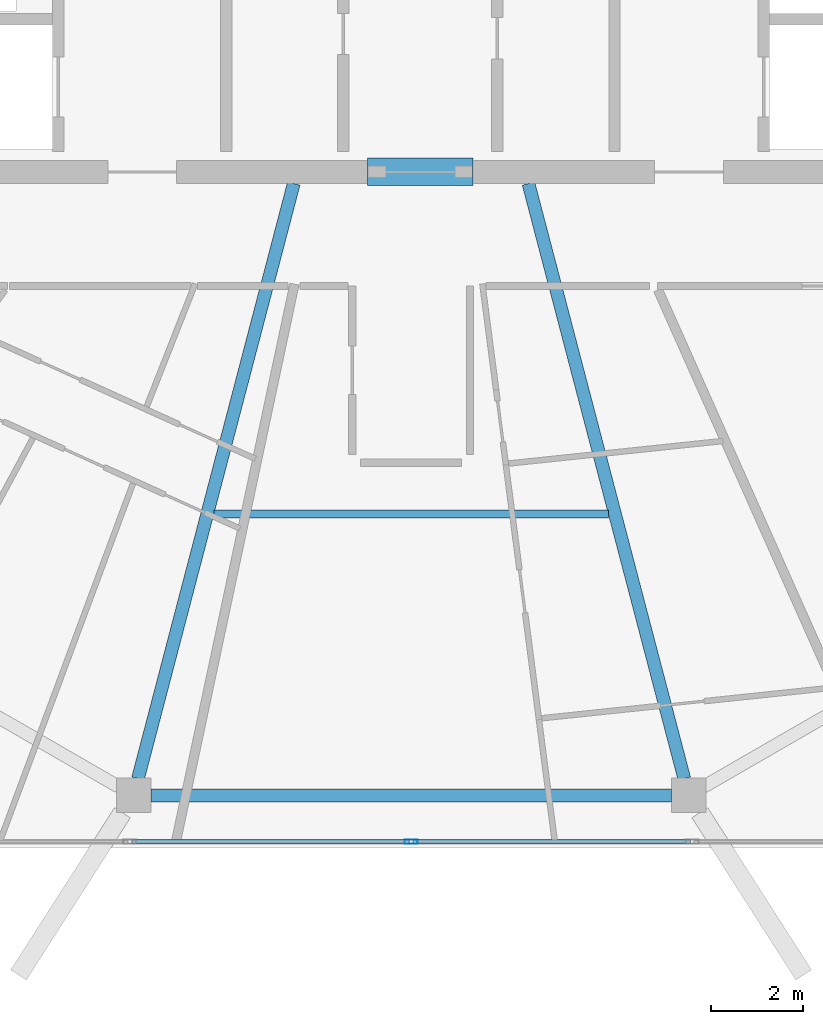
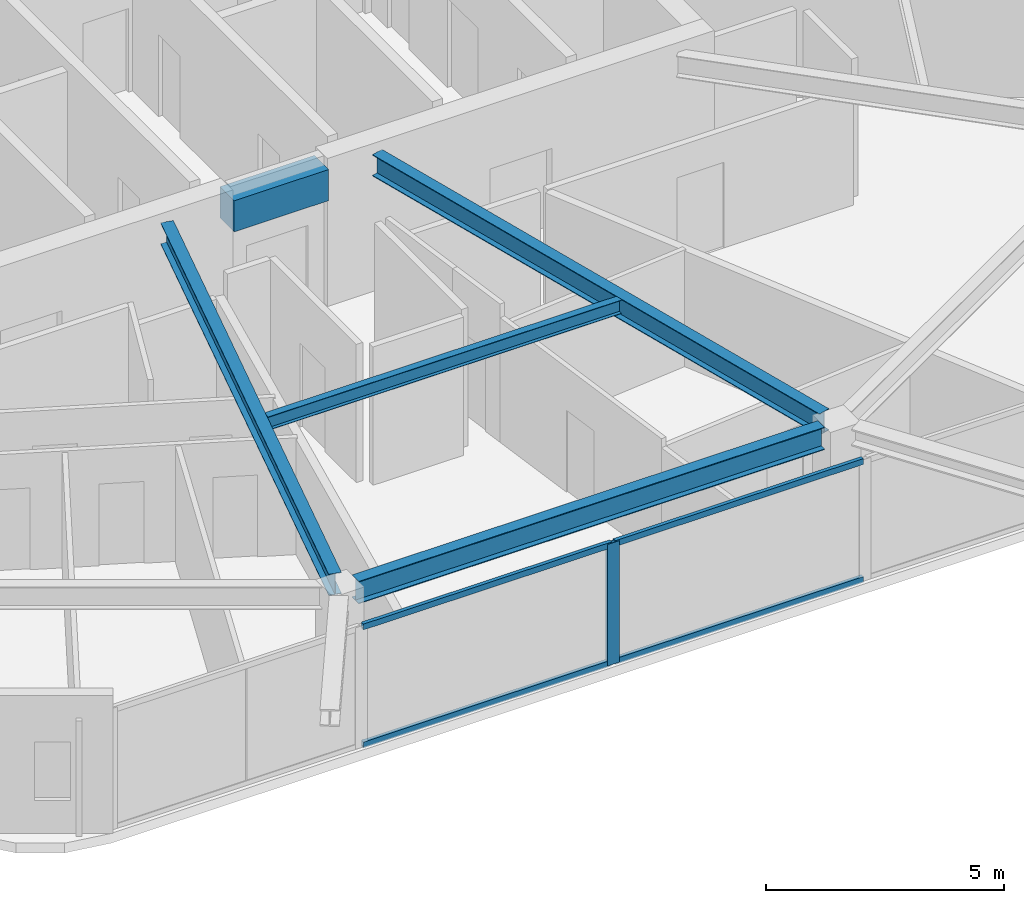
# One storey, part 3 of 18: 5 beams, 5 members, 1 element without a shape of its own.
"""IFC4 building model written with IfcOpenShell, lengths in metres."""

from ifc_helpers import new_model, si_unit, direction, frame, origin, origin_2d, place, context, subcontext, project, spatial, rectangle, hollow_rectangle, i_section, extrude, material, material_profile, profile_set, type_object, element, aggregate, save


model = new_model("IFC4")

# Units and contexts
model_context = context("Model", 3, precision=1e-05, world=origin(), true_north=direction((0.0, 1.0)))
body_context = subcontext(model_context, "Body", "Model", "MODEL_VIEW")
ifc_project = project(units=[si_unit("LENGTHUNIT", "METRE"), si_unit("AREAUNIT", "SQUARE_METRE"), si_unit("VOLUMEUNIT", "CUBIC_METRE"), si_unit("PLANEANGLEUNIT", "RADIAN"), si_unit("MASSUNIT", "GRAM", prefix="KILO")], contexts=[model_context])

# Site, building, storey
site_placement = place(None, origin())
site = spatial("IfcSite", under=ifc_project, at=site_placement, CompositionType="ELEMENT")
building_placement = place(site_placement, origin())
building = spatial("IfcBuilding", under=site, at=building_placement, Name="Zuhravey Tower", CompositionType="ELEMENT")
storey_placement = place(building_placement, frame((0.0, 0.0, 342.39990234375)))
storey = spatial("IfcBuildingStorey", under=building, at=storey_placement, Name="L87", CompositionType="ELEMENT", Elevation=342.39990234375)

# Beam
ifc_material_1 = material(Name="Concrete C50/60", Category="concrete")
ifc_material_profile_1 = material_profile(ifc_material_1, rectangle(XDim=0.60009765625, YDim=0.800048828125, at=origin_2d()), Name="RC-600x800")
ifc_profile_set_1 = profile_set([ifc_material_profile_1], Name="Concrete C50/60")
beam_type_1 = type_object("IfcBeamType", Name="Core Coupling Beam RC600x800", PredefinedType="LINTEL", material=ifc_profile_set_1)
beam_1_placement = place(storey_placement, frame((35.052001953125, 22.5, 3.150146484375), z_axis=(1.0, 0.0, 0.0), x_axis=(0.0, 1.0, 0.0)))
element("IfcBeam", 1, at=beam_1_placement, inside=storey, type_object=beam_type_1, Name="L87 CB2 BM-L87-CB-S", PredefinedType="LINTEL", context=body_context, shape_type="SweptSolid", body=[
    extrude(rectangle(XDim=0.60009765625, YDim=0.800048828125, at=origin_2d()), origin(), (0.0, 0.0, 1.0), 2.2958984375),
])

# Curtain wall, members
ifc_material_2 = material(Name="Thermally broken anodised aluminium", Category="aluminium")
curtain_wall_type = type_object("IfcCurtainWallType", Name="Zone 3-4 High-Rise Curtain Wall CW4", PredefinedType="NOTDEFINED", material=ifc_material_2)
curtain_wall_placement = place(storey_placement, origin())
curtain_wall = element("IfcCurtainWall", 2, at=curtain_wall_placement, inside=storey, type_object=curtain_wall_type, Name="L87 CW4 CW-L87-F5-1", PredefinedType="NOTDEFINED")
ifc_material_3 = material(Name="Anodised aluminium", Category="aluminium")
ifc_material_profile_2 = material_profile(ifc_material_3, hollow_rectangle(XDim=0.090087890625, YDim=0.284912109375, WallThickness=0.0048828125, at=origin_2d()), Name="ALU-RHS-90x285x5")
ifc_profile_set_2 = profile_set([ifc_material_profile_2], Name="Anodised aluminium")
member_type_1 = type_object("IfcMemberType", Name="Curtain-Wall Mullion 90x180", PredefinedType="MULLION", material=ifc_profile_set_2)
member_1_placement = place(storey_placement, frame((36.0, 7.92578125, 0.0), z_axis=(0.0, 0.0, 1.0), x_axis=(0.0, -1.0, 0.0)))
member_1 = element("IfcMember", 3, at=member_1_placement, type_object=member_type_1, Name="CW4 mullion 3", PredefinedType="MULLION", context=body_context, shape_type="SweptSolid", body=[
    extrude(hollow_rectangle(XDim=0.090087890625, YDim=0.284912109375, WallThickness=0.0048828125, at=origin_2d()), origin(), (0.0, 0.0, 1.0), 3.1220703125),
])
ifc_material_profile_3 = material_profile(ifc_material_3, hollow_rectangle(XDim=0.090087890625, YDim=0.14990234375, WallThickness=0.0048828125, at=origin_2d()), Name="ALU-RHS-90x150x5")
ifc_profile_set_3 = profile_set([ifc_material_profile_3], Name="Anodised aluminium")
member_type_2 = type_object("IfcMemberType", Name="Curtain-Wall Transom 90x150", PredefinedType="USERDEFINED", material=ifc_profile_set_3)
member_2_placement = place(storey_placement, frame((42.07470703125, 7.92578125, 0.045166015625), z_axis=(-1.0, 0.0, 0.0), x_axis=(0.0, -1.0, 0.0)))
member_2 = element("IfcMember", 4, at=member_2_placement, type_object=member_type_2, Name="CW4 transom 2.1", ObjectType="TRANSOM", PredefinedType="USERDEFINED", context=body_context, shape_type="SweptSolid", body=[
    extrude(hollow_rectangle(XDim=0.090087890625, YDim=0.14990234375, WallThickness=0.0048828125, at=origin_2d()), origin(), (0.0, 0.0, 1.0), 6.02978515625),
])
member_3_placement = place(storey_placement, frame((42.07470703125, 7.92578125, 3.0771484375), z_axis=(-1.0, 0.0, 0.0), x_axis=(0.0, -1.0, 0.0)))
member_3 = element("IfcMember", 5, at=member_3_placement, type_object=member_type_2, Name="CW4 transom 2.2", ObjectType="TRANSOM", PredefinedType="USERDEFINED", context=body_context, shape_type="SweptSolid", body=[
    extrude(hollow_rectangle(XDim=0.090087890625, YDim=0.14990234375, WallThickness=0.0048828125, at=origin_2d()), origin(), (0.0, 0.0, 1.0), 6.02978515625),
])
member_4_placement = place(storey_placement, frame((35.955078125, 7.92578125, 0.045166015625), z_axis=(-1.0, 0.0, 0.0), x_axis=(0.0, -1.0, 0.0)))
member_4 = element("IfcMember", 6, at=member_4_placement, type_object=member_type_2, Name="CW4 transom 3.1", ObjectType="TRANSOM", PredefinedType="USERDEFINED", context=body_context, shape_type="SweptSolid", body=[
    extrude(hollow_rectangle(XDim=0.090087890625, YDim=0.14990234375, WallThickness=0.0048828125, at=origin_2d()), origin(), (0.0, 0.0, 1.0), 6.02978515625),
])
member_5_placement = place(storey_placement, frame((35.955078125, 7.92578125, 3.0771484375), z_axis=(-1.0, 0.0, 0.0), x_axis=(0.0, -1.0, 0.0)))
member_5 = element("IfcMember", 7, at=member_5_placement, type_object=member_type_2, Name="CW4 transom 3.2", ObjectType="TRANSOM", PredefinedType="USERDEFINED", context=body_context, shape_type="SweptSolid", body=[
    extrude(hollow_rectangle(XDim=0.090087890625, YDim=0.14990234375, WallThickness=0.0048828125, at=origin_2d()), origin(), (0.0, 0.0, 1.0), 6.02978515625),
])
aggregate(curtain_wall, [member_1, member_2, member_3, member_4, member_5])

# Beams
ifc_material_4 = material(Name="Steel SM355", Category="steel")
ifc_material_profile_4 = material_profile(ifc_material_4, i_section(OverallWidth=0.280029296875, OverallDepth=0.580078125, WebThickness=0.011962890625, FlangeThickness=0.01904296875, at=origin_2d()), Name="H-580x280x12x19")
ifc_profile_set_4 = profile_set([ifc_material_profile_4], Name="Steel SM355")
beam_type_2 = type_object("IfcBeamType", Name="Perimeter Ring Beam H580x280", PredefinedType="BEAM", material=ifc_profile_set_4)
beam_2_placement = place(storey_placement, frame((30.33935546875, 8.935791015625, 3.260009765625), z_axis=(1.0, 0.0, 0.0), x_axis=(0.0, 1.0, 0.0)))
element("IfcBeam", 8, at=beam_2_placement, inside=storey, type_object=beam_type_2, Name="L87 PB4 BM-L87-PB-09", PredefinedType="BEAM", context=body_context, shape_type="SweptSolid", body=[
    extrude(i_section(OverallWidth=0.280029296875, OverallDepth=0.580078125, WebThickness=0.011962890625, FlangeThickness=0.01904296875, at=origin_2d()), origin(), (0.0, 0.0, 1.0), 11.3212890625),
])
ifc_material_profile_5 = material_profile(ifc_material_4, i_section(OverallWidth=0.280029296875, OverallDepth=0.550048828125, WebThickness=0.010986328125, FlangeThickness=0.01806640625, at=origin_2d()), Name="H-550x280x11x18")
ifc_profile_set_5 = profile_set([ifc_material_profile_5], Name="Steel SM355")
beam_type_3 = type_object("IfcBeamType", Name="Radial Primary Girder H550x280", PredefinedType="BEAM", material=ifc_profile_set_5)
for number, where, z_axis, x_axis, name in (
    (9, (33.446533203125, 22.2470703125, 3.275146484375), (-0.253282562653, -0.967392342049, 0.0), (0.967392342049, -0.253282562653, 0.0), "L87 RG4 BM-L87-RAD-09"),
    (10, (38.553466796875, 22.2470703125, 3.275146484375), (0.253282562653, -0.967392342049, 0.0), (0.967392342049, 0.253282562653, 0.0), "L87 RG4 BM-L87-RAD-10"),
):
    element("IfcBeam", number, at=place(storey_placement, frame(where, z_axis=z_axis, x_axis=x_axis)), inside=storey, type_object=beam_type_3, Name=name, PredefinedType="BEAM", context=body_context, shape_type="SweptSolid", body=[
        extrude(i_section(OverallWidth=0.280029296875, OverallDepth=0.550048828125, WebThickness=0.010986328125, FlangeThickness=0.01806640625, at=origin_2d()), origin(), (0.0, 0.0, 1.0), 13.3818359375),
    ])
ifc_material_profile_6 = material_profile(ifc_material_4, i_section(OverallWidth=0.175048828125, OverallDepth=0.35009765625, WebThickness=0.007080078125, FlangeThickness=0.010986328125, at=origin_2d()), Name="H-350x175x7x11")
ifc_profile_set_6 = profile_set([ifc_material_profile_6], Name="Steel SM355")
beam_type_4 = type_object("IfcBeamType", Name="Secondary Floor Joist H350x175", PredefinedType="JOIST", material=ifc_profile_set_6)
beam_3_placement = place(storey_placement, frame((31.70849609375, 15.05908203125, 3.375), z_axis=(1.0, 0.0, 0.0), x_axis=(0.0, 1.0, 0.0)))
element("IfcBeam", 11, at=beam_3_placement, inside=storey, type_object=beam_type_4, Name="L87 SJ3 BM-L87-SJ-09-1", PredefinedType="JOIST", context=body_context, shape_type="SweptSolid", body=[
    extrude(i_section(OverallWidth=0.175048828125, OverallDepth=0.35009765625, WebThickness=0.007080078125, FlangeThickness=0.010986328125, at=origin_2d()), origin(), (0.0, 0.0, 1.0), 8.5830078125),
])

save(model, "model.ifc")
